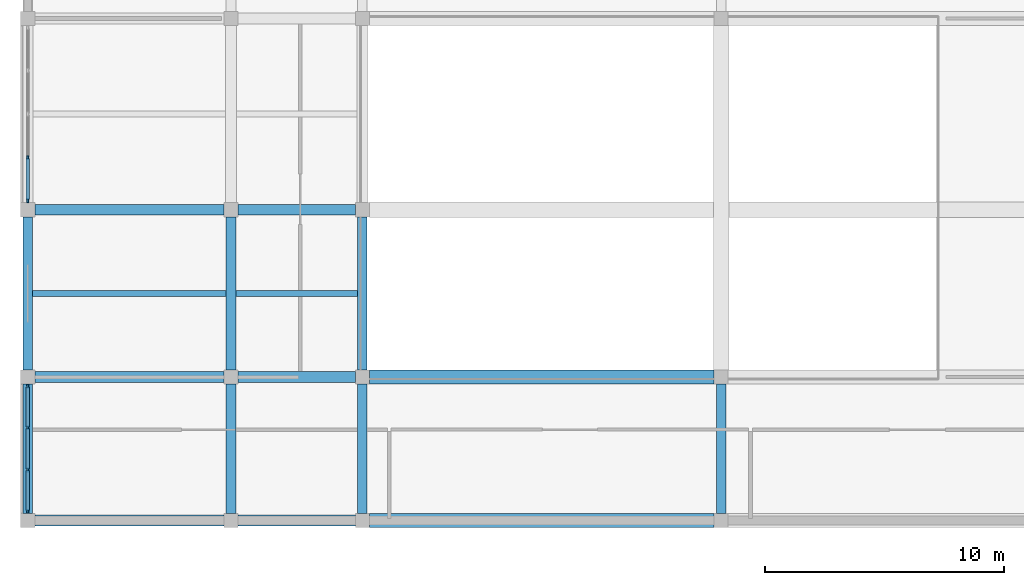
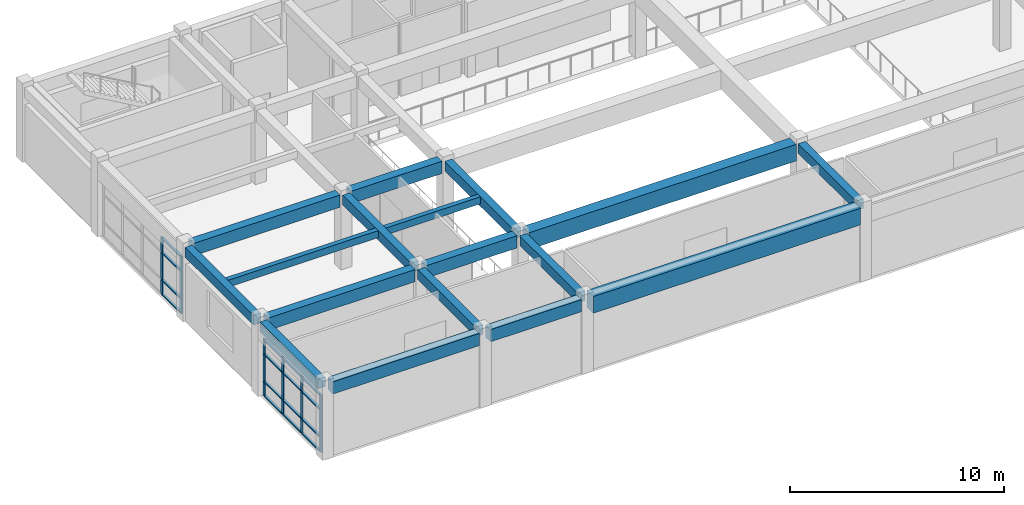
# One storey, part 3 of 72: 22 members, 17 beams, 2 elements without a shape of their own.
"""IFC4 building model written with IfcOpenShell, lengths in metres."""

from ifc_helpers import new_model, si_unit, direction, frame, origin, origin_2d, place, context, subcontext, project, spatial, rectangle, extrude, material, layer, layer_set, material_profile, profile_set, type_object, element, aggregate, save


model = new_model("IFC4")

# Units and contexts
model_context = context("Model", 3, precision=1e-05, world=origin(), true_north=direction((0.0, 1.0)))
body_context = subcontext(model_context, "Body", "Model", "MODEL_VIEW")
ifc_project = project(units=[si_unit("LENGTHUNIT", "METRE"), si_unit("AREAUNIT", "SQUARE_METRE"), si_unit("VOLUMEUNIT", "CUBIC_METRE"), si_unit("PLANEANGLEUNIT", "RADIAN"), si_unit("MASSUNIT", "GRAM", prefix="KILO")], contexts=[model_context])

# Site, building, storey
site_placement = place(None, origin())
site = spatial("IfcSite", under=ifc_project, at=site_placement, CompositionType="ELEMENT")
building_placement = place(site_placement, origin())
building = spatial("IfcBuilding", under=site, at=building_placement, Name="Naurynzar Civic Courthouse", CompositionType="ELEMENT")
storey_placement = place(building_placement, frame((0.0, 0.0, 9.89990234375)))
storey = spatial("IfcBuildingStorey", under=building, at=storey_placement, Name="L03", CompositionType="ELEMENT", Elevation=9.89990234375)

# Beams
ifc_material_1 = material(Name="Concrete C40/50", Category="concrete")
ifc_material_profile_1 = material_profile(ifc_material_1, rectangle(XDim=0.25, YDim=0.39990234375, at=origin_2d()), Name="RCB 250x400")
ifc_profile_set_1 = profile_set([ifc_material_profile_1], Name="Concrete C40/50")
beam_type_1 = type_object("IfcBeamType", Name="BM-JST-250x400", PredefinedType="JOIST", material=ifc_profile_set_1)
beam_1_placement = place(storey_placement, frame((6.199951171875, 13.5, 4.030029296875), z_axis=(1.0, 0.0, 0.0), x_axis=(0.0, 1.0, 0.0)))
element("IfcBeam", 1, at=beam_1_placement, inside=storey, type_object=beam_type_1, Name="V4 secondary rib 1903 L03", PredefinedType="JOIST", context=body_context, shape_type="SweptSolid", body=[
    extrude(rectangle(XDim=0.25, YDim=0.39990234375, at=origin_2d()), origin(), (0.0, 0.0, 1.0), 8.10009765625),
])
beam_2_placement = place(storey_placement, frame((14.699951171875, 13.5, 4.030029296875), z_axis=(1.0, 0.0, 0.0), x_axis=(0.0, 1.0, 0.0)))
element("IfcBeam", 2, at=beam_2_placement, inside=storey, type_object=beam_type_1, Name="V4 secondary rib 1904 L03", PredefinedType="JOIST", context=body_context, shape_type="SweptSolid", body=[
    extrude(rectangle(XDim=0.25, YDim=0.39990234375, at=origin_2d()), origin(), (0.0, 0.0, 1.0), 5.10009765625),
])
ifc_material_2 = material(Name="Concrete C40/50", Category="concrete")
ifc_material_profile_2 = material_profile(ifc_material_2, rectangle(XDim=0.60009765625, YDim=0.949951171875, at=origin_2d()), Name="PTB 600x950")
ifc_profile_set_2 = profile_set([ifc_material_profile_2], Name="Concrete C40/50")
beam_type_2 = type_object("IfcBeamType", Name="BM-PT-600x950", PredefinedType="T_BEAM", material=ifc_profile_set_2)
for number, where, z_axis, x_axis, name in (
    (3, (20.300048828125, 4.0, 3.755126953125), (1.0, 0.0, 0.0), (0.0, 1.0, 0.0), "V4 beam X-1858 L03"),
    (4, (20.300048828125, 10.0, 3.755126953125), (1.0, 0.0, 0.0), (0.0, 1.0, 0.0), "V4 beam X-1863 L03"),
):
    element("IfcBeam", number, at=place(storey_placement, frame(where, z_axis=z_axis, x_axis=x_axis)), inside=storey, type_object=beam_type_2, Name=name, PredefinedType="T_BEAM", context=body_context, shape_type="SweptSolid", body=[
        extrude(rectangle(XDim=0.60009765625, YDim=0.949951171875, at=origin_2d()), origin(), (0.0, 0.0, 1.0), 14.39990234375),
    ])
ifc_material_3 = material(Name="Concrete C40/50", Category="concrete")
ifc_material_profile_3 = material_profile(ifc_material_3, rectangle(XDim=0.39990234375, YDim=0.550048828125, at=origin_2d()), Name="RCB 400x550")
ifc_profile_set_3 = profile_set([ifc_material_profile_3], Name="Concrete C40/50")
beam_type_3 = type_object("IfcBeamType", Name="BM-RC-400x550", PredefinedType="BEAM", material=ifc_profile_set_3)
beam_3_placement = place(storey_placement, frame((6.0, 4.300048828125, 3.955078125), z_axis=(0.0, 1.0, 0.0), x_axis=(-1.0, 0.0, 0.0)))
element("IfcBeam", 5, at=beam_3_placement, inside=storey, type_object=beam_type_3, Name="V4 girder Y-1880 L03", PredefinedType="BEAM", context=body_context, shape_type="SweptSolid", body=[
    extrude(rectangle(XDim=0.39990234375, YDim=0.550048828125, at=origin_2d()), origin(), (0.0, 0.0, 1.0), 5.39990234375),
])
beam_4_placement = place(storey_placement, frame((6.0, 10.300048828125, 3.955078125), z_axis=(0.0, 1.0, 0.0), x_axis=(-1.0, 0.0, 0.0)))
element("IfcBeam", 6, at=beam_4_placement, inside=storey, type_object=beam_type_3, Name="V4 girder Y-1881 L03", PredefinedType="BEAM", context=body_context, shape_type="SweptSolid", body=[
    extrude(rectangle(XDim=0.39990234375, YDim=0.550048828125, at=origin_2d()), origin(), (0.0, 0.0, 1.0), 6.39990234375),
])
beam_5_placement = place(storey_placement, frame((14.5, 4.300048828125, 3.955078125), z_axis=(0.0, 1.0, 0.0), x_axis=(-1.0, 0.0, 0.0)))
element("IfcBeam", 7, at=beam_5_placement, inside=storey, type_object=beam_type_3, Name="V4 girder Y-1884 L03", PredefinedType="BEAM", context=body_context, shape_type="SweptSolid", body=[
    extrude(rectangle(XDim=0.39990234375, YDim=0.550048828125, at=origin_2d()), origin(), (0.0, 0.0, 1.0), 5.39990234375),
])
beam_6_placement = place(storey_placement, frame((14.5, 10.300048828125, 3.955078125), z_axis=(0.0, 1.0, 0.0), x_axis=(-1.0, 0.0, 0.0)))
element("IfcBeam", 8, at=beam_6_placement, inside=storey, type_object=beam_type_3, Name="V4 girder Y-1885 L03", PredefinedType="BEAM", context=body_context, shape_type="SweptSolid", body=[
    extrude(rectangle(XDim=0.39990234375, YDim=0.550048828125, at=origin_2d()), origin(), (0.0, 0.0, 1.0), 6.39990234375),
])
beam_7_placement = place(storey_placement, frame((20.0, 4.300048828125, 3.955078125), z_axis=(0.0, 1.0, 0.0), x_axis=(-1.0, 0.0, 0.0)))
element("IfcBeam", 9, at=beam_7_placement, inside=storey, type_object=beam_type_3, Name="V4 girder Y-1888 L03", PredefinedType="BEAM", context=body_context, shape_type="SweptSolid", body=[
    extrude(rectangle(XDim=0.39990234375, YDim=0.550048828125, at=origin_2d()), origin(), (0.0, 0.0, 1.0), 5.39990234375),
])
beam_8_placement = place(storey_placement, frame((20.0, 10.300048828125, 3.955078125), z_axis=(0.0, 1.0, 0.0), x_axis=(-1.0, 0.0, 0.0)))
element("IfcBeam", 10, at=beam_8_placement, inside=storey, type_object=beam_type_3, Name="V4 girder Y-1889 L03", PredefinedType="BEAM", context=body_context, shape_type="SweptSolid", body=[
    extrude(rectangle(XDim=0.39990234375, YDim=0.550048828125, at=origin_2d()), origin(), (0.0, 0.0, 1.0), 6.39990234375),
])
beam_9_placement = place(storey_placement, frame((35.0, 4.300048828125, 3.955078125), z_axis=(0.0, 1.0, 0.0), x_axis=(-1.0, 0.0, 0.0)))
element("IfcBeam", 11, at=beam_9_placement, inside=storey, type_object=beam_type_3, Name="V4 girder Y-1892 L03", PredefinedType="BEAM", context=body_context, shape_type="SweptSolid", body=[
    extrude(rectangle(XDim=0.39990234375, YDim=0.550048828125, at=origin_2d()), origin(), (0.0, 0.0, 1.0), 5.39990234375),
])
ifc_material_4 = material(Name="Concrete C40/50", Category="concrete")
ifc_material_profile_4 = material_profile(ifc_material_4, rectangle(XDim=0.449951171875, YDim=0.699951171875, at=origin_2d()), Name="RCB 450x700")
ifc_profile_set_4 = profile_set([ifc_material_profile_4], Name="Concrete C40/50")
beam_type_4 = type_object("IfcBeamType", Name="BM-RC-450x700", PredefinedType="BEAM", material=ifc_profile_set_4)
beam_10_placement = place(storey_placement, frame((6.300048828125, 4.0, 3.880126953125), z_axis=(1.0, 0.0, 0.0), x_axis=(0.0, 1.0, 0.0)))
element("IfcBeam", 12, at=beam_10_placement, inside=storey, type_object=beam_type_4, Name="V4 beam X-1856 L03", PredefinedType="BEAM", context=body_context, shape_type="SweptSolid", body=[
    extrude(rectangle(XDim=0.449951171875, YDim=0.699951171875, at=origin_2d()), origin(), (0.0, 0.0, 1.0), 7.89990234375),
])
beam_11_placement = place(storey_placement, frame((14.800048828125, 4.0, 3.880126953125), z_axis=(1.0, 0.0, 0.0), x_axis=(0.0, 1.0, 0.0)))
element("IfcBeam", 13, at=beam_11_placement, inside=storey, type_object=beam_type_4, Name="V4 beam X-1857 L03", PredefinedType="BEAM", context=body_context, shape_type="SweptSolid", body=[
    extrude(rectangle(XDim=0.449951171875, YDim=0.699951171875, at=origin_2d()), origin(), (0.0, 0.0, 1.0), 4.89990234375),
])
beam_12_placement = place(storey_placement, frame((6.300048828125, 10.0, 3.880126953125), z_axis=(1.0, 0.0, 0.0), x_axis=(0.0, 1.0, 0.0)))
element("IfcBeam", 14, at=beam_12_placement, inside=storey, type_object=beam_type_4, Name="V4 beam X-1861 L03", PredefinedType="BEAM", context=body_context, shape_type="SweptSolid", body=[
    extrude(rectangle(XDim=0.449951171875, YDim=0.699951171875, at=origin_2d()), origin(), (0.0, 0.0, 1.0), 7.89990234375),
])
beam_13_placement = place(storey_placement, frame((14.800048828125, 10.0, 3.880126953125), z_axis=(1.0, 0.0, 0.0), x_axis=(0.0, 1.0, 0.0)))
element("IfcBeam", 15, at=beam_13_placement, inside=storey, type_object=beam_type_4, Name="V4 beam X-1862 L03", PredefinedType="BEAM", context=body_context, shape_type="SweptSolid", body=[
    extrude(rectangle(XDim=0.449951171875, YDim=0.699951171875, at=origin_2d()), origin(), (0.0, 0.0, 1.0), 4.89990234375),
])
beam_14_placement = place(storey_placement, frame((6.300048828125, 17.0, 3.880126953125), z_axis=(1.0, 0.0, 0.0), x_axis=(0.0, 1.0, 0.0)))
element("IfcBeam", 16, at=beam_14_placement, inside=storey, type_object=beam_type_4, Name="V4 beam X-1866 L03", PredefinedType="BEAM", context=body_context, shape_type="SweptSolid", body=[
    extrude(rectangle(XDim=0.449951171875, YDim=0.699951171875, at=origin_2d()), origin(), (0.0, 0.0, 1.0), 7.89990234375),
])
beam_15_placement = place(storey_placement, frame((14.800048828125, 17.0, 3.880126953125), z_axis=(1.0, 0.0, 0.0), x_axis=(0.0, 1.0, 0.0)))
element("IfcBeam", 17, at=beam_15_placement, inside=storey, type_object=beam_type_4, Name="V4 beam X-1867 L03", PredefinedType="BEAM", context=body_context, shape_type="SweptSolid", body=[
    extrude(rectangle(XDim=0.449951171875, YDim=0.699951171875, at=origin_2d()), origin(), (0.0, 0.0, 1.0), 4.89990234375),
])

# Curtain wall, members
ifc_material_5 = material(Name="Aluminium 6063-T6", Category="aluminium")
ifc_layer = layer(ifc_material_5, 0.159912109375)
ifc_layer_set = layer_set([ifc_layer], Name="CW-UNIT-1800")
curtain_wall_type = type_object("IfcCurtainWallType", Name="CW-UNIT-1800", PredefinedType="NOTDEFINED", material=ifc_layer_set)
curtain_wall_1_placement = place(storey_placement, origin())
curtain_wall_1 = element("IfcCurtainWall", 18, at=curtain_wall_1_placement, inside=storey, type_object=curtain_wall_type, Name="V4 unitised curtain wall 77 L03", PredefinedType="NOTDEFINED")
ifc_material_6 = material(Name="Aluminium 6063-T6", Category="aluminium")
ifc_material_profile_5 = material_profile(ifc_material_6, rectangle(XDim=0.070068359375, YDim=0.179931640625, at=origin_2d()), Name="ALU MULLION 70x180")
ifc_profile_set_5 = profile_set([ifc_material_profile_5], Name="Aluminium 6063-T6")
member_type_1 = type_object("IfcMemberType", Name="CWM-70x180", PredefinedType="MULLION", material=ifc_profile_set_5)
member_1_placement = place(storey_placement, frame((6.0, 4.385009765625, 0.0), z_axis=(0.0, 0.0, 1.0), x_axis=(-1.0, 0.0, 0.0)))
member_1 = element("IfcMember", 19, at=member_1_placement, type_object=member_type_1, Name="CW-02 mullion 1", PredefinedType="MULLION", context=body_context, shape_type="SweptSolid", body=[
    extrude(rectangle(XDim=0.070068359375, YDim=0.179931640625, at=origin_2d()), origin(), (0.0, 0.0, 1.0), 3.260009765625),
])
member_2_placement = place(storey_placement, frame((6.0, 6.11669921875, 0.0), z_axis=(0.0, 0.0, 1.0), x_axis=(-1.0, 0.0, 0.0)))
member_2 = element("IfcMember", 20, at=member_2_placement, type_object=member_type_1, Name="CW-02 mullion 2", PredefinedType="MULLION", context=body_context, shape_type="SweptSolid", body=[
    extrude(rectangle(XDim=0.070068359375, YDim=0.179931640625, at=origin_2d()), origin(), (0.0, 0.0, 1.0), 3.260009765625),
])
member_3_placement = place(storey_placement, frame((6.0, 7.88330078125, 0.0), z_axis=(0.0, 0.0, 1.0), x_axis=(-1.0, 0.0, 0.0)))
member_3 = element("IfcMember", 21, at=member_3_placement, type_object=member_type_1, Name="CW-02 mullion 3", PredefinedType="MULLION", context=body_context, shape_type="SweptSolid", body=[
    extrude(rectangle(XDim=0.070068359375, YDim=0.179931640625, at=origin_2d()), origin(), (0.0, 0.0, 1.0), 3.260009765625),
])
member_4_placement = place(storey_placement, frame((6.0, 9.614990234375, 0.0), z_axis=(0.0, 0.0, 1.0), x_axis=(-1.0, 0.0, 0.0)))
member_4 = element("IfcMember", 22, at=member_4_placement, type_object=member_type_1, Name="CW-02 mullion 4", PredefinedType="MULLION", context=body_context, shape_type="SweptSolid", body=[
    extrude(rectangle(XDim=0.070068359375, YDim=0.179931640625, at=origin_2d()), origin(), (0.0, 0.0, 1.0), 3.260009765625),
])

curtain_wall_2_placement = place(storey_placement, origin())
curtain_wall_2 = element("IfcCurtainWall", 23, at=curtain_wall_2_placement, inside=storey, type_object=curtain_wall_type, Name="V4 unitised curtain wall 78 L03", PredefinedType="NOTDEFINED")
member_5_placement = place(storey_placement, frame((6.0, 17.385009765625, 0.0), z_axis=(0.0, 0.0, 1.0), x_axis=(-1.0, 0.0, 0.0)))
member_5 = element("IfcMember", 24, at=member_5_placement, type_object=member_type_1, Name="CW-02 mullion 1", PredefinedType="MULLION", context=body_context, shape_type="SweptSolid", body=[
    extrude(rectangle(XDim=0.070068359375, YDim=0.179931640625, at=origin_2d()), origin(), (0.0, 0.0, 1.0), 3.260009765625),
])
member_6_placement = place(storey_placement, frame((6.0, 19.175048828125, 0.0), z_axis=(0.0, 0.0, 1.0), x_axis=(-1.0, 0.0, 0.0)))
member_6 = element("IfcMember", 25, at=member_6_placement, type_object=member_type_1, Name="CW-02 mullion 2", PredefinedType="MULLION", context=body_context, shape_type="SweptSolid", body=[
    extrude(rectangle(XDim=0.070068359375, YDim=0.179931640625, at=origin_2d()), origin(), (0.0, 0.0, 1.0), 3.260009765625),
])

# Member
ifc_material_7 = material(Name="Aluminium 6063-T6", Category="aluminium")
ifc_material_profile_6 = material_profile(ifc_material_7, rectangle(XDim=0.1298828125, YDim=0.070068359375, at=origin_2d()), Name="ALU TRANSOM 70x130")
ifc_profile_set_6 = profile_set([ifc_material_profile_6], Name="Aluminium 6063-T6")
member_type_2 = type_object("IfcMemberType", Name="CWT-70x130", PredefinedType="USERDEFINED", material=ifc_profile_set_6)
member_7_placement = place(storey_placement, frame((6.0, 4.419921875, 0.03515625), z_axis=(0.0, 1.0, 0.0), x_axis=(-1.0, 0.0, 0.0)))
member_7 = element("IfcMember", 26, at=member_7_placement, type_object=member_type_2, Name="CW-02 transom 1.1", ObjectType="TRANSOM", PredefinedType="USERDEFINED", context=body_context, shape_type="SweptSolid", body=[
    extrude(rectangle(XDim=0.1298828125, YDim=0.070068359375, at=origin_2d()), origin(), (0.0, 0.0, 1.0), 1.661865234375),
])

member_8_placement = place(storey_placement, frame((6.0, 4.419921875, 0.85009765625), z_axis=(0.0, 1.0, 0.0), x_axis=(-1.0, 0.0, 0.0)))
member_8 = element("IfcMember", 27, at=member_8_placement, type_object=member_type_2, Name="CW-02 transom 1.2", ObjectType="TRANSOM", PredefinedType="USERDEFINED", context=body_context, shape_type="SweptSolid", body=[
    extrude(rectangle(XDim=0.1298828125, YDim=0.070068359375, at=origin_2d()), origin(), (0.0, 0.0, 1.0), 1.661865234375),
])

member_9_placement = place(storey_placement, frame((6.0, 4.419921875, 2.41015625), z_axis=(0.0, 1.0, 0.0), x_axis=(-1.0, 0.0, 0.0)))
member_9 = element("IfcMember", 28, at=member_9_placement, type_object=member_type_2, Name="CW-02 transom 1.3", ObjectType="TRANSOM", PredefinedType="USERDEFINED", context=body_context, shape_type="SweptSolid", body=[
    extrude(rectangle(XDim=0.1298828125, YDim=0.070068359375, at=origin_2d()), origin(), (0.0, 0.0, 1.0), 1.661865234375),
])

member_10_placement = place(storey_placement, frame((6.0, 4.419921875, 3.22509765625), z_axis=(0.0, 1.0, 0.0), x_axis=(-1.0, 0.0, 0.0)))
member_10 = element("IfcMember", 29, at=member_10_placement, type_object=member_type_2, Name="CW-02 transom 1.4", ObjectType="TRANSOM", PredefinedType="USERDEFINED", context=body_context, shape_type="SweptSolid", body=[
    extrude(rectangle(XDim=0.1298828125, YDim=0.070068359375, at=origin_2d()), origin(), (0.0, 0.0, 1.0), 1.661865234375),
])

member_11_placement = place(storey_placement, frame((6.0, 6.151611328125, 0.03515625), z_axis=(0.0, 1.0, 0.0), x_axis=(-1.0, 0.0, 0.0)))
member_11 = element("IfcMember", 30, at=member_11_placement, type_object=member_type_2, Name="CW-02 transom 2.1", ObjectType="TRANSOM", PredefinedType="USERDEFINED", context=body_context, shape_type="SweptSolid", body=[
    extrude(rectangle(XDim=0.1298828125, YDim=0.070068359375, at=origin_2d()), origin(), (0.0, 0.0, 1.0), 1.69677734375),
])

member_12_placement = place(storey_placement, frame((6.0, 6.151611328125, 0.85009765625), z_axis=(0.0, 1.0, 0.0), x_axis=(-1.0, 0.0, 0.0)))
member_12 = element("IfcMember", 31, at=member_12_placement, type_object=member_type_2, Name="CW-02 transom 2.2", ObjectType="TRANSOM", PredefinedType="USERDEFINED", context=body_context, shape_type="SweptSolid", body=[
    extrude(rectangle(XDim=0.1298828125, YDim=0.070068359375, at=origin_2d()), origin(), (0.0, 0.0, 1.0), 1.69677734375),
])

member_13_placement = place(storey_placement, frame((6.0, 6.151611328125, 2.41015625), z_axis=(0.0, 1.0, 0.0), x_axis=(-1.0, 0.0, 0.0)))
member_13 = element("IfcMember", 32, at=member_13_placement, type_object=member_type_2, Name="CW-02 transom 2.3", ObjectType="TRANSOM", PredefinedType="USERDEFINED", context=body_context, shape_type="SweptSolid", body=[
    extrude(rectangle(XDim=0.1298828125, YDim=0.070068359375, at=origin_2d()), origin(), (0.0, 0.0, 1.0), 1.69677734375),
])

member_14_placement = place(storey_placement, frame((6.0, 6.151611328125, 3.22509765625), z_axis=(0.0, 1.0, 0.0), x_axis=(-1.0, 0.0, 0.0)))
member_14 = element("IfcMember", 33, at=member_14_placement, type_object=member_type_2, Name="CW-02 transom 2.4", ObjectType="TRANSOM", PredefinedType="USERDEFINED", context=body_context, shape_type="SweptSolid", body=[
    extrude(rectangle(XDim=0.1298828125, YDim=0.070068359375, at=origin_2d()), origin(), (0.0, 0.0, 1.0), 1.69677734375),
])

member_15_placement = place(storey_placement, frame((6.0, 7.918212890625, 0.03515625), z_axis=(0.0, 1.0, 0.0), x_axis=(-1.0, 0.0, 0.0)))
member_15 = element("IfcMember", 34, at=member_15_placement, type_object=member_type_2, Name="CW-02 transom 3.1", ObjectType="TRANSOM", PredefinedType="USERDEFINED", context=body_context, shape_type="SweptSolid", body=[
    extrude(rectangle(XDim=0.1298828125, YDim=0.070068359375, at=origin_2d()), origin(), (0.0, 0.0, 1.0), 1.661865234375),
])

member_16_placement = place(storey_placement, frame((6.0, 7.918212890625, 0.85009765625), z_axis=(0.0, 1.0, 0.0), x_axis=(-1.0, 0.0, 0.0)))
member_16 = element("IfcMember", 35, at=member_16_placement, type_object=member_type_2, Name="CW-02 transom 3.2", ObjectType="TRANSOM", PredefinedType="USERDEFINED", context=body_context, shape_type="SweptSolid", body=[
    extrude(rectangle(XDim=0.1298828125, YDim=0.070068359375, at=origin_2d()), origin(), (0.0, 0.0, 1.0), 1.661865234375),
])

member_17_placement = place(storey_placement, frame((6.0, 7.918212890625, 2.41015625), z_axis=(0.0, 1.0, 0.0), x_axis=(-1.0, 0.0, 0.0)))
member_17 = element("IfcMember", 36, at=member_17_placement, type_object=member_type_2, Name="CW-02 transom 3.3", ObjectType="TRANSOM", PredefinedType="USERDEFINED", context=body_context, shape_type="SweptSolid", body=[
    extrude(rectangle(XDim=0.1298828125, YDim=0.070068359375, at=origin_2d()), origin(), (0.0, 0.0, 1.0), 1.661865234375),
])

member_18_placement = place(storey_placement, frame((6.0, 7.918212890625, 3.22509765625), z_axis=(0.0, 1.0, 0.0), x_axis=(-1.0, 0.0, 0.0)))
member_18 = element("IfcMember", 37, at=member_18_placement, type_object=member_type_2, Name="CW-02 transom 3.4", ObjectType="TRANSOM", PredefinedType="USERDEFINED", context=body_context, shape_type="SweptSolid", body=[
    extrude(rectangle(XDim=0.1298828125, YDim=0.070068359375, at=origin_2d()), origin(), (0.0, 0.0, 1.0), 1.661865234375),
])

aggregate(curtain_wall_1, [member_1, member_2, member_3, member_4, member_7, member_8, member_9, member_10, member_11, member_12, member_13, member_14, member_15, member_16, member_17, member_18])

member_19_placement = place(storey_placement, frame((6.0, 17.419921875, 0.03515625), z_axis=(0.0, 1.0, 0.0), x_axis=(-1.0, 0.0, 0.0)))
member_19 = element("IfcMember", 38, at=member_19_placement, type_object=member_type_2, Name="CW-02 transom 1.1", ObjectType="TRANSOM", PredefinedType="USERDEFINED", context=body_context, shape_type="SweptSolid", body=[
    extrude(rectangle(XDim=0.1298828125, YDim=0.070068359375, at=origin_2d()), origin(), (0.0, 0.0, 1.0), 1.719970703125),
])

member_20_placement = place(storey_placement, frame((6.0, 17.419921875, 0.85009765625), z_axis=(0.0, 1.0, 0.0), x_axis=(-1.0, 0.0, 0.0)))
member_20 = element("IfcMember", 39, at=member_20_placement, type_object=member_type_2, Name="CW-02 transom 1.2", ObjectType="TRANSOM", PredefinedType="USERDEFINED", context=body_context, shape_type="SweptSolid", body=[
    extrude(rectangle(XDim=0.1298828125, YDim=0.070068359375, at=origin_2d()), origin(), (0.0, 0.0, 1.0), 1.719970703125),
])

member_21_placement = place(storey_placement, frame((6.0, 17.419921875, 2.41015625), z_axis=(0.0, 1.0, 0.0), x_axis=(-1.0, 0.0, 0.0)))
member_21 = element("IfcMember", 40, at=member_21_placement, type_object=member_type_2, Name="CW-02 transom 1.3", ObjectType="TRANSOM", PredefinedType="USERDEFINED", context=body_context, shape_type="SweptSolid", body=[
    extrude(rectangle(XDim=0.1298828125, YDim=0.070068359375, at=origin_2d()), origin(), (0.0, 0.0, 1.0), 1.719970703125),
])

member_22_placement = place(storey_placement, frame((6.0, 17.419921875, 3.22509765625), z_axis=(0.0, 1.0, 0.0), x_axis=(-1.0, 0.0, 0.0)))
member_22 = element("IfcMember", 41, at=member_22_placement, type_object=member_type_2, Name="CW-02 transom 1.4", ObjectType="TRANSOM", PredefinedType="USERDEFINED", context=body_context, shape_type="SweptSolid", body=[
    extrude(rectangle(XDim=0.1298828125, YDim=0.070068359375, at=origin_2d()), origin(), (0.0, 0.0, 1.0), 1.719970703125),
])

aggregate(curtain_wall_2, [member_5, member_6, member_19, member_20, member_21, member_22])

save(model, "model.ifc")
